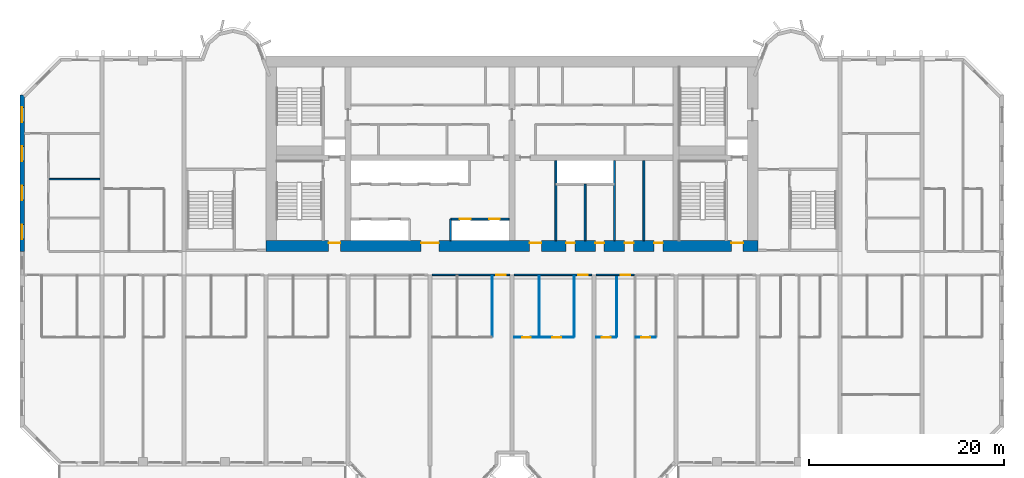
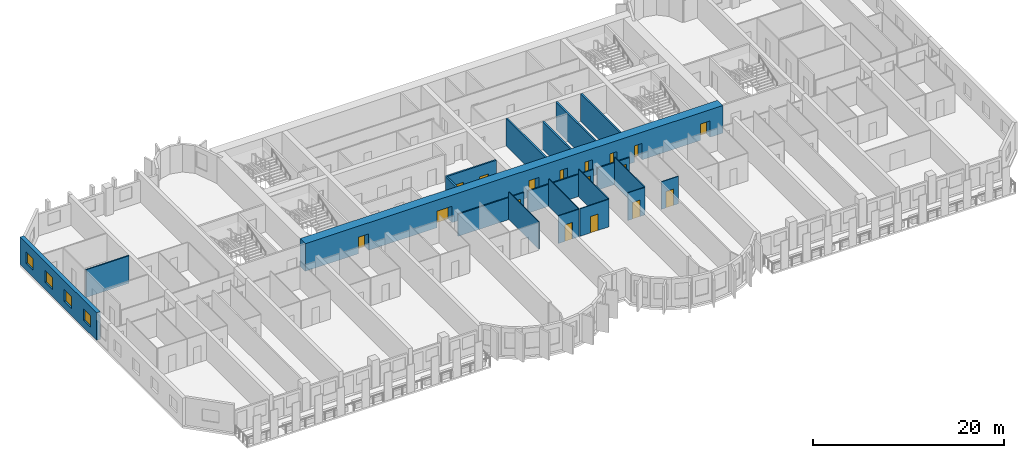
# One storey, part 5 of 15: 20 walls, 17 doors, 4 windows, 21 openings.
"""IFC4 building model written with IfcOpenShell, lengths in metres."""

import ifcopenshell
import ifcopenshell.guid

model = None  # the IFC model being written
_history = None  # IfcOwnerHistory: only IFC2X3 demands one
_inside = {}  # id of a spatial element -> (the spatial element, [elements in it])
_under = {}  # id of a project, library or spatial element -> (it, [spatial elements below it])
_declared = {}  # id of a project -> (the project, [libraries it declares])
_typed = {}  # id of a type object -> (the type object, [elements of that type])
_made_of = {}  # id of a material, layer set ... -> (it, [elements and type objects made of it])


def new_model(schema):
    """Start an empty IFC model of exactly this schema.

    Asked for "IFC4X3", IfcOpenShell would pick the latest addendum, in which some entities
    have other attributes; the version numbers below select the first issue.
    IFC2X3 requires an IfcOwnerHistory on every rooted entity: one is made here for all.
    """
    global model, _history
    if schema == "IFC4X3":
        model = ifcopenshell.file(schema_version=(4, 3, 0, 0))
    else:
        model = ifcopenshell.file(schema=schema)
    _inside.clear()
    _under.clear()
    _declared.clear()
    _typed.clear()
    _made_of.clear()
    _history = None
    if model.schema == "IFC2X3":
        org = make("IfcOrganization", Name="unknown")
        user = make(
            "IfcPersonAndOrganization",
            ThePerson=make("IfcPerson", FamilyName="unknown"),
            TheOrganization=org,
        )
        app = make(
            "IfcApplication",
            ApplicationDeveloper=org,
            Version="unknown",
            ApplicationFullName="unknown",
            ApplicationIdentifier="unknown",
        )
        _history = make(
            "IfcOwnerHistory",
            OwningUser=user,
            OwningApplication=app,
            ChangeAction="ADDED",
            CreationDate=0,
        )
    return model


def make(cls, **values):
    """One entity of the class cls with the attributes given. An attribute that is None is left unset."""
    return model.create_entity(
        cls, **{name: value for name, value in values.items() if value is not None}
    )


def rooted(cls, **values):
    """An entity with a GlobalId (a new one), such as an element, a storey or a relation."""
    return make(cls, GlobalId=ifcopenshell.guid.new(), OwnerHistory=_history, **values)


def si_unit(unit_type, name, prefix=None):
    """IfcSIUnit, for example si_unit("LENGTHUNIT", "METRE", prefix="MILLI")."""
    return make("IfcSIUnit", UnitType=unit_type, Prefix=prefix, Name=name)


def assignment(units):
    """IfcUnitAssignment: the units of a project."""
    return None if units is None else make("IfcUnitAssignment", Units=units)


def point(xyz):
    """IfcCartesianPoint."""
    return None if xyz is None else make("IfcCartesianPoint", Coordinates=xyz)


def direction(xyz):
    """IfcDirection."""
    return None if xyz is None else make("IfcDirection", DirectionRatios=xyz)


def frame(location, z_axis=None, x_axis=None):
    """IfcAxis2Placement3D, a coordinate frame: its origin and axes. An axis left out is left unset."""
    return make(
        "IfcAxis2Placement3D",
        Location=point(location),
        Axis=direction(z_axis),
        RefDirection=direction(x_axis),
    )


def frame_2d(location, x_axis=None):
    """IfcAxis2Placement2D, a coordinate frame in the plane: its origin and x axis."""
    return make(
        "IfcAxis2Placement2D", Location=point(location), RefDirection=direction(x_axis)
    )


def origin():
    """The frame at (0, 0, 0) with its axes left unset."""
    return frame((0.0, 0.0, 0.0))


def place(relative_to, where):
    """IfcLocalPlacement: puts the frame where relative to a parent placement (None: the world)."""
    return make(
        "IfcLocalPlacement", PlacementRelTo=relative_to, RelativePlacement=where
    )


def context(
    kind, dimensions, precision=None, world=None, true_north=None, identifier=None
):
    """IfcGeometricRepresentationContext, for example the 3D "Model" context."""
    return make(
        "IfcGeometricRepresentationContext",
        ContextIdentifier=identifier,
        ContextType=kind,
        CoordinateSpaceDimension=dimensions,
        Precision=precision,
        WorldCoordinateSystem=world,
        TrueNorth=true_north,
    )


def subcontext(parent, identifier, kind, view, scale=None):
    """IfcGeometricRepresentationSubContext, for example "Body" below "Model"."""
    return make(
        "IfcGeometricRepresentationSubContext",
        ContextIdentifier=identifier,
        ContextType=kind,
        ParentContext=parent,
        TargetScale=scale,
        TargetView=view,
    )


def project(units=None, contexts=None):
    """IfcProject with its units and contexts."""
    return rooted(
        "IfcProject",
        Name="project",
        RepresentationContexts=contexts,
        UnitsInContext=assignment(units),
    )


def spatial(cls, under=None, at=None, **own):
    """A site, building, storey or space (cls), placed at a placement, below another one or the project."""
    s = rooted(cls, ObjectPlacement=at, **own)
    if under is not None:
        _under.setdefault(under.id(), (under, []))[1].append(s)
    return s


def profile(cls, at=None, kind="AREA", **sizes):
    """A parametric profile (cls). Its sizes go by their IFC names, for example OverallWidth=200.0."""
    return make(cls, ProfileType=kind, Position=at, **sizes)


def rectangle(**sizes):
    """IfcRectangleProfileDef."""
    return profile("IfcRectangleProfileDef", **sizes)


def extrude(swept, where, along, depth):
    """IfcExtrudedAreaSolid: the profile swept, set in the frame where, extruded along a direction by depth."""
    return make(
        "IfcExtrudedAreaSolid",
        SweptArea=swept,
        Position=where,
        ExtrudedDirection=direction(along),
        Depth=depth,
    )


def shape(context_of_items, identifier, shape_type, items):
    """IfcShapeRepresentation: the items that make up one representation, for example the "Body"."""
    return make(
        "IfcShapeRepresentation",
        ContextOfItems=context_of_items,
        RepresentationIdentifier=identifier,
        RepresentationType=shape_type,
        Items=items,
    )


def source(mapping_origin, context_of_items, identifier, shape_type, items):
    """IfcRepresentationMap: a shape defined once, which mapped items show again and again."""
    return make(
        "IfcRepresentationMap",
        MappingOrigin=mapping_origin,
        MappedRepresentation=shape(context_of_items, identifier, shape_type, items),
    )


def transform(
    local_origin,
    x_axis=None,
    y_axis=None,
    z_axis=None,
    scale=None,
    scale2=None,
    scale3=None,
    uniform=True,
):
    """IfcCartesianTransformationOperator3D, or its non-uniform kind. x_axis, y_axis, z_axis: its Axis1, 2, 3."""
    if uniform:
        return make(
            "IfcCartesianTransformationOperator3D",
            Axis1=direction(x_axis),
            Axis2=direction(y_axis),
            LocalOrigin=point(local_origin),
            Scale=scale,
            Axis3=direction(z_axis),
        )
    return make(
        "IfcCartesianTransformationOperator3DnonUniform",
        Axis1=direction(x_axis),
        Axis2=direction(y_axis),
        LocalOrigin=point(local_origin),
        Scale=scale,
        Axis3=direction(z_axis),
        Scale2=scale2,
        Scale3=scale3,
    )


def mapped(mapping_source, mapping_target):
    """IfcMappedItem: shows the shape of a source again, moved by a transform."""
    return make(
        "IfcMappedItem", MappingSource=mapping_source, MappingTarget=mapping_target
    )


def material(Name=None, Category=None):
    """IfcMaterial."""
    return make("IfcMaterial", Name=Name, Category=Category)


def layer(
    of_material, thickness, ventilated=None, Name=None, Category=None, Priority=None
):
    """IfcMaterialLayer: one layer of a wall or slab, of a material (None: an air gap)."""
    return make(
        "IfcMaterialLayer",
        Material=of_material,
        LayerThickness=thickness,
        IsVentilated=ventilated,
        Name=Name,
        Category=Category,
        Priority=Priority,
    )


def layer_set(layers, Name=None):
    """IfcMaterialLayerSet."""
    return make("IfcMaterialLayerSet", MaterialLayers=layers, LayerSetName=Name)


def made_of(thing, what):
    """Note that an element or type object is made of a material, layer set ...; save() writes the relation."""
    if what is not None:
        _made_of.setdefault(what.id(), (what, []))[1].append(thing)
    return thing


def type_object(cls, material=None, **own):
    """A type object (cls), such as IfcWallType, which elements share."""
    return made_of(rooted(cls, **own), material)


def element(
    cls,
    number,
    at=None,
    inside=None,
    cuts=None,
    type_object=None,
    material=None,
    context=None,
    identifier="Body",
    shape_type=None,
    held_by="IfcProductDefinitionShape",
    body=None,
    shapes=None,
    **own,
):
    """One element of the class cls, such as IfcWall. Its Tag is "e" and its number.

    at: its placement. inside: the storey or other place that contains it. cuts: it is an
    opening in that element (IfcRelVoidsElement). A single representation is given by context,
    identifier, shape_type and body (its items); several are given by shapes. held_by: the class
    of the entity that holds the representations. save() writes the other relations.
    """
    e = rooted(cls, Tag="e%d" % number, ObjectPlacement=at, **own)
    if body is not None:
        shapes = [shape(context, identifier, shape_type, body)]
    if shapes is not None:
        e.Representation = make(held_by, Representations=shapes)
    if inside is not None:
        _inside.setdefault(inside.id(), (inside, []))[1].append(e)
    if cuts is not None:
        rooted(
            "IfcRelVoidsElement", RelatingBuildingElement=cuts, RelatedOpeningElement=e
        )
    if type_object is not None:
        _typed.setdefault(type_object.id(), (type_object, []))[1].append(e)
    return made_of(e, material)


def fill(opening, filler):
    """IfcRelFillsElement: the door or window that sits in an opening."""
    return rooted(
        "IfcRelFillsElement",
        RelatingOpeningElement=opening,
        RelatedBuildingElement=filler,
    )


def aggregate(whole, parts):
    """IfcRelAggregates: a whole, such as a stair, and the parts it consists of."""
    return rooted("IfcRelAggregates", RelatingObject=whole, RelatedObjects=parts)


def save(model, path):
    """Write the relations noted so far, then the file.

    IfcRelAggregates (storeys below a building ...), IfcRelContainedInSpatialStructure (elements
    in a storey), IfcRelDefinesByType, IfcRelAssociatesMaterial and IfcRelDeclares: one each for
    every whole, place, type object, material and project.
    """
    for whole, parts in _under.values():
        aggregate(whole, parts)
    for where, things in _inside.values():
        rooted(
            "IfcRelContainedInSpatialStructure",
            RelatedElements=things,
            RelatingStructure=where,
        )
    for kind, things in _typed.values():
        rooted("IfcRelDefinesByType", RelatedObjects=things, RelatingType=kind)
    for what, things in _made_of.values():
        rooted("IfcRelAssociatesMaterial", RelatedObjects=things, RelatingMaterial=what)
    for by, libraries in _declared.values():
        rooted("IfcRelDeclares", RelatingContext=by, RelatedDefinitions=libraries)
    model.write(path)


model = new_model("IFC4")

# Units and contexts
model_context = context("Model", 3, precision=1e-05, world=origin(), true_north=direction((0.0, 1.0)))
body_context = subcontext(model_context, "Body", "Model", "MODEL_VIEW")
ifc_project = project(units=[si_unit("LENGTHUNIT", "METRE"), si_unit("AREAUNIT", "SQUARE_METRE"), si_unit("VOLUMEUNIT", "CUBIC_METRE"), si_unit("PLANEANGLEUNIT", "RADIAN"), si_unit("MASSUNIT", "GRAM", prefix="KILO")], contexts=[model_context])

# Site, building, storey
site_placement = place(None, origin())
site = spatial("IfcSite", under=ifc_project, at=site_placement, CompositionType="ELEMENT")
building_placement = place(site_placement, origin())
building = spatial("IfcBuilding", under=site, at=building_placement, Name="Vanashikhar Sky Hotel", CompositionType="ELEMENT")
storey_placement = place(building_placement, frame((0.0, 0.0, 39.199951171875)))
storey = spatial("IfcBuildingStorey", under=building, at=storey_placement, Name="L08", CompositionType="ELEMENT", Elevation=39.199951171875)

# Wall, openings, doors
ifc_material_1 = material(Name="Concrete M80", Category="concrete")
ifc_layer_1 = layer(ifc_material_1, 1.10009765625)
ifc_layer_set_1 = layer_set([ifc_layer_1], Name="RC core shell wall 1100 Concrete M80")
wall_type_1 = type_object("IfcWallType", Name="RC core shell wall 1100 Concrete M80", PredefinedType="SHEAR", material=ifc_layer_set_1)
shared_shape_1 = source(origin(), body_context, "Body", "SweptSolid", [
    extrude(rectangle(XDim=50.400146484375, YDim=1.10009765625, at=frame_2d((25.2001953125, 0.0))), origin(), (0.0, 0.0, 1.0), 3.52001953125),
])
wall_1_placement = place(storey_placement, frame((25.199951171875, 22.550048828125, 0.0), z_axis=(0.0, 0.0, 1.0), x_axis=(1.0, 0.0, 0.0)))
wall_1 = element("IfcWall", 1, at=wall_1_placement, inside=storey, type_object=wall_type_1, Name="KW-L08-KS", PredefinedType="SHEAR", context=body_context, shape_type="MappedRepresentation", body=[
    mapped(shared_shape_1, transform((0.0, 0.0, 0.0), scale=1.0)),
])
shared_shape_2 = source(origin(), body_context, "Body", "SweptSolid", [
    extrude(rectangle(XDim=1.800048828125, YDim=2.10009765625, at=frame_2d((0.89990234375, 1.050048828125))), frame((0.0, 0.56005859375, 0.0), z_axis=(0.0, -1.0, 0.0), x_axis=(1.0, 0.0, 0.0)), (0.0, 0.0, 1.0), 1.1201171875),
])
opening_1_placement = place(wall_1_placement, frame((15.89990234375, 0.0, 0.0)))
opening_1 = element("IfcOpeningElement", 2, at=opening_1_placement, cuts=wall_1, Name="Opening DC-3-A", PredefinedType="OPENING", context=body_context, shape_type="MappedRepresentation", body=[
    mapped(shared_shape_2, transform((0.0, 0.0, 0.0), scale=1.0)),
])
shared_shape_3 = source(origin(), body_context, "Body", "SweptSolid", [
    extrude(rectangle(XDim=1.199951171875, YDim=2.10009765625, at=frame_2d((0.60009765625, 1.050048828125))), frame((0.0, 0.56005859375, 0.0), z_axis=(0.0, -1.0, 0.0), x_axis=(1.0, 0.0, 0.0)), (0.0, 0.0, 1.0), 1.1201171875),
])
opening_2_placement = place(wall_1_placement, frame((27.0, 0.0, 0.0)))
opening_2 = element("IfcOpeningElement", 3, at=opening_2_placement, cuts=wall_1, Name="Opening DC-4-B", PredefinedType="OPENING", context=body_context, shape_type="MappedRepresentation", body=[
    mapped(shared_shape_3, transform((0.0, 0.0, 0.0), scale=1.0)),
])
shared_shape_4 = source(origin(), body_context, "Body", "SweptSolid", [
    extrude(rectangle(XDim=0.89990234375, YDim=2.10009765625, at=frame_2d((0.449951171875, 1.050048828125))), frame((0.0, 0.56005859375, 0.0), z_axis=(0.0, -1.0, 0.0), x_axis=(1.0, 0.0, 0.0)), (0.0, 0.0, 1.0), 1.1201171875),
])
opening_3_placement = place(wall_1_placement, frame((33.75, 0.0, 0.0)))
opening_3 = element("IfcOpeningElement", 4, at=opening_3_placement, cuts=wall_1, Name="Opening DC-4-A", PredefinedType="OPENING", context=body_context, shape_type="MappedRepresentation", body=[
    mapped(shared_shape_4, transform((0.0, 0.0, 0.0), scale=1.0)),
])
opening_4_placement = place(wall_1_placement, frame((30.75, 0.0, 0.0)))
opening_4 = element("IfcOpeningElement", 5, at=opening_4_placement, cuts=wall_1, Name="Opening DC-4-A", PredefinedType="OPENING", context=body_context, shape_type="MappedRepresentation", body=[
    mapped(shared_shape_4, transform((0.0, 0.0, 0.0), scale=1.0)),
])
opening_5_placement = place(wall_1_placement, frame((39.75, 0.0, 0.0)))
opening_5 = element("IfcOpeningElement", 6, at=opening_5_placement, cuts=wall_1, Name="Opening DC-4-A", PredefinedType="OPENING", context=body_context, shape_type="MappedRepresentation", body=[
    mapped(shared_shape_4, transform((0.0, 0.0, 0.0), scale=1.0)),
])
opening_6_placement = place(wall_1_placement, frame((36.75, 0.0, 0.0)))
opening_6 = element("IfcOpeningElement", 7, at=opening_6_placement, cuts=wall_1, Name="Opening DC-4-A", PredefinedType="OPENING", context=body_context, shape_type="MappedRepresentation", body=[
    mapped(shared_shape_4, transform((0.0, 0.0, 0.0), scale=1.0)),
])
opening_7_placement = place(wall_1_placement, frame((6.425048828125, 0.0, 0.0)))
opening_7 = element("IfcOpeningElement", 8, at=opening_7_placement, cuts=wall_1, Name="Opening DC-2", PredefinedType="OPENING", context=body_context, shape_type="MappedRepresentation", body=[
    mapped(shared_shape_3, transform((0.0, 0.0, 0.0), scale=1.0)),
])
opening_8_placement = place(wall_1_placement, frame((47.675048828125, 0.0, 0.0)))
opening_8 = element("IfcOpeningElement", 9, at=opening_8_placement, cuts=wall_1, Name="Opening DC-2", PredefinedType="OPENING", context=body_context, shape_type="MappedRepresentation", body=[
    mapped(shared_shape_3, transform((0.0, 0.0, 0.0), scale=1.0)),
])
ifc_material_2 = material(Name="Glass", Category="glass")
door_type_1 = type_object("IfcDoorType", Name="Lift lobby entrance door 1800 FD30S", OperationType="NOTDEFINED", PredefinedType="DOOR", material=ifc_material_2)
shared_shape_5 = source(origin(), body_context, "Body", "SweptSolid", [
    extrude(rectangle(XDim=1.800048828125, YDim=2.10009765625, at=frame_2d((0.89990234375, 1.050048828125))), frame((0.0, 0.3251953125, 0.0), z_axis=(0.0, -1.0, 0.0), x_axis=(1.0, 0.0, 0.0)), (0.0, 0.0, 1.0), 0.050048828125),
])
door_1_placement = place(opening_1_placement, origin())
door_1 = element("IfcDoor", 10, at=door_1_placement, inside=storey, type_object=door_type_1, Name="Lift lobby entrance door 1800 FD30S", OperationType="DOUBLE_DOOR_SINGLE_SWING", OverallHeight=2.10009765625, OverallWidth=1.800048828125, PredefinedType="DOOR", context=body_context, shape_type="MappedRepresentation", body=[
    mapped(shared_shape_5, transform((0.0, 0.0, 0.0), scale=1.0)),
])
fill(opening_1, door_1)
ifc_material_3 = material(Name="Steel", Category="steel")
door_type_2 = type_object("IfcDoorType", Name="Service door 1200 FD60", OperationType="NOTDEFINED", PredefinedType="DOOR", material=ifc_material_3)
shared_shape_6 = source(origin(), body_context, "Body", "SweptSolid", [
    extrude(rectangle(XDim=1.199951171875, YDim=2.10009765625, at=frame_2d((0.60009765625, 1.050048828125))), frame((0.0, 0.3251953125, 0.0), z_axis=(0.0, -1.0, 0.0), x_axis=(1.0, 0.0, 0.0)), (0.0, 0.0, 1.0), 0.050048828125),
])
door_2_placement = place(opening_2_placement, origin())
door_2 = element("IfcDoor", 11, at=door_2_placement, inside=storey, type_object=door_type_2, Name="Service door 1200 FD60", OperationType="SINGLE_SWING_RIGHT", OverallHeight=2.10009765625, OverallWidth=1.199951171875, PredefinedType="DOOR", context=body_context, shape_type="MappedRepresentation", body=[
    mapped(shared_shape_6, transform((0.0, 0.0, 0.0), scale=1.0)),
])
fill(opening_2, door_2)
door_type_3 = type_object("IfcDoorType", Name="Firefighting lobby door 1200 FD120", OperationType="NOTDEFINED", PredefinedType="DOOR", material=ifc_material_3)
door_3_placement = place(opening_7_placement, origin())
door_3 = element("IfcDoor", 12, at=door_3_placement, inside=storey, type_object=door_type_3, Name="Firefighting lobby door 1200 FD120", OperationType="SINGLE_SWING_LEFT", OverallHeight=2.10009765625, OverallWidth=1.199951171875, PredefinedType="DOOR", context=body_context, shape_type="MappedRepresentation", body=[
    mapped(shared_shape_6, transform((0.0, 0.0, 0.0), scale=1.0)),
])
fill(opening_7, door_3)
door_4_placement = place(opening_8_placement, origin())
door_4 = element("IfcDoor", 13, at=door_4_placement, inside=storey, type_object=door_type_3, Name="Firefighting lobby door 1200 FD120", OperationType="SINGLE_SWING_RIGHT", OverallHeight=2.10009765625, OverallWidth=1.199951171875, PredefinedType="DOOR", context=body_context, shape_type="MappedRepresentation", body=[
    mapped(shared_shape_6, transform((0.0, 0.0, 0.0), scale=1.0)),
])
fill(opening_8, door_4)
door_type_4 = type_object("IfcDoorType", Name="Service door 900 FD60", OperationType="NOTDEFINED", PredefinedType="DOOR", material=ifc_material_3)
shared_shape_7 = source(origin(), body_context, "Body", "SweptSolid", [
    extrude(rectangle(XDim=0.89990234375, YDim=2.10009765625, at=frame_2d((0.449951171875, 1.050048828125))), frame((0.0, 0.3251953125, 0.0), z_axis=(0.0, -1.0, 0.0), x_axis=(1.0, 0.0, 0.0)), (0.0, 0.0, 1.0), 0.050048828125),
])
door_5_placement = place(opening_3_placement, origin())
door_5 = element("IfcDoor", 14, at=door_5_placement, inside=storey, type_object=door_type_4, Name="Service door 900 FD60", OperationType="SINGLE_SWING_RIGHT", OverallHeight=2.10009765625, OverallWidth=0.89990234375, PredefinedType="DOOR", context=body_context, shape_type="MappedRepresentation", body=[
    mapped(shared_shape_7, transform((0.0, 0.0, 0.0), scale=1.0)),
])
fill(opening_3, door_5)
door_6_placement = place(opening_4_placement, origin())
door_6 = element("IfcDoor", 15, at=door_6_placement, inside=storey, type_object=door_type_4, Name="Service door 900 FD60", OperationType="SINGLE_SWING_LEFT", OverallHeight=2.10009765625, OverallWidth=0.89990234375, PredefinedType="DOOR", context=body_context, shape_type="MappedRepresentation", body=[
    mapped(shared_shape_7, transform((0.0, 0.0, 0.0), scale=1.0)),
])
fill(opening_4, door_6)
door_7_placement = place(opening_5_placement, origin())
door_7 = element("IfcDoor", 16, at=door_7_placement, inside=storey, type_object=door_type_4, Name="Service door 900 FD60", OperationType="SINGLE_SWING_RIGHT", OverallHeight=2.10009765625, OverallWidth=0.89990234375, PredefinedType="DOOR", context=body_context, shape_type="MappedRepresentation", body=[
    mapped(shared_shape_7, transform((0.0, 0.0, 0.0), scale=1.0)),
])
fill(opening_5, door_7)
door_8_placement = place(opening_6_placement, origin())
door_8 = element("IfcDoor", 17, at=door_8_placement, inside=storey, type_object=door_type_4, Name="Service door 900 FD60", OperationType="SINGLE_SWING_LEFT", OverallHeight=2.10009765625, OverallWidth=0.89990234375, PredefinedType="DOOR", context=body_context, shape_type="MappedRepresentation", body=[
    mapped(shared_shape_7, transform((0.0, 0.0, 0.0), scale=1.0)),
])
fill(opening_6, door_8)

# Wall, openings, windows
ifc_layer_2 = layer(ifc_material_1, 0.449951171875)
ifc_layer_set_2 = layer_set([ifc_layer_2], Name="RC shear wall 450 Concrete M80")
wall_type_2 = type_object("IfcWallType", Name="RC shear wall 450 Concrete M80", PredefinedType="SHEAR", material=ifc_layer_set_2)
shared_shape_8 = source(origin(), body_context, "Body", "SweptSolid", [
    extrude(rectangle(XDim=16.0, YDim=0.449951171875, at=frame_2d((8.0, 0.0))), origin(), (0.0, 0.0, 1.0), 3.52001953125),
])
wall_2_placement = place(storey_placement, frame((0.22509765625, 22.0, 0.0), z_axis=(0.0, 0.0, 1.0), x_axis=(0.0, 1.0, 0.0)))
wall_2 = element("IfcWall", 18, at=wall_2_placement, inside=storey, type_object=wall_type_2, Name="CW-L08-XW01-2", PredefinedType="SHEAR", context=body_context, shape_type="MappedRepresentation", body=[
    mapped(shared_shape_8, transform((0.0, 0.0, 0.0), scale=1.0)),
])
shared_shape_9 = source(origin(), body_context, "Body", "SweptSolid", [
    extrude(rectangle(XDim=1.5, YDim=1.5, at=frame_2d((0.75, 0.75))), frame((0.0, 0.23486328125, 0.0), z_axis=(0.0, -1.0, 0.0), x_axis=(1.0, 0.0, 0.0)), (0.0, 0.0, 1.0), 0.469970703125),
])
opening_9_placement = place(wall_2_placement, frame((1.25, 0.0, 0.89990234375)))
opening_9 = element("IfcOpeningElement", 19, at=opening_9_placement, cuts=wall_2, Name="Opening WN-1", PredefinedType="OPENING", context=body_context, shape_type="MappedRepresentation", body=[
    mapped(shared_shape_9, transform((0.0, 0.0, 0.0), scale=1.0)),
])
opening_10_placement = place(wall_2_placement, frame((5.25, 0.0, 0.89990234375)))
opening_10 = element("IfcOpeningElement", 20, at=opening_10_placement, cuts=wall_2, Name="Opening WN-1", PredefinedType="OPENING", context=body_context, shape_type="MappedRepresentation", body=[
    mapped(shared_shape_9, transform((0.0, 0.0, 0.0), scale=1.0)),
])
opening_11_placement = place(wall_2_placement, frame((9.25, 0.0, 0.89990234375)))
opening_11 = element("IfcOpeningElement", 21, at=opening_11_placement, cuts=wall_2, Name="Opening WN-1", PredefinedType="OPENING", context=body_context, shape_type="MappedRepresentation", body=[
    mapped(shared_shape_9, transform((0.0, 0.0, 0.0), scale=1.0)),
])
opening_12_placement = place(wall_2_placement, frame((13.25, 0.0, 0.89990234375)))
opening_12 = element("IfcOpeningElement", 22, at=opening_12_placement, cuts=wall_2, Name="Opening WN-1", PredefinedType="OPENING", context=body_context, shape_type="MappedRepresentation", body=[
    mapped(shared_shape_9, transform((0.0, 0.0, 0.0), scale=1.0)),
])
window_type = type_object("IfcWindowType", Name="Window 1500 x 1500", PartitioningType="SINGLE_PANEL", PredefinedType="WINDOW", material=ifc_material_2)
shared_shape_10 = source(origin(), body_context, "Body", "SweptSolid", [
    extrude(rectangle(XDim=1.5, YDim=1.5, at=frame_2d((0.75, 0.75))), frame((0.0, 0.030029296875, 0.0), z_axis=(0.0, -1.0, 0.0), x_axis=(1.0, 0.0, 0.0)), (0.0, 0.0, 1.0), 0.06005859375),
])
window_1_placement = place(opening_9_placement, origin())
window_1 = element("IfcWindow", 23, at=window_1_placement, inside=storey, type_object=window_type, Name="Window WN-1", OverallHeight=1.5, OverallWidth=1.5, PartitioningType="SINGLE_PANEL", PredefinedType="WINDOW", context=body_context, shape_type="MappedRepresentation", body=[
    mapped(shared_shape_10, transform((0.0, 0.0, 0.0), scale=1.0)),
])
fill(opening_9, window_1)
window_2_placement = place(opening_10_placement, origin())
window_2 = element("IfcWindow", 24, at=window_2_placement, inside=storey, type_object=window_type, Name="Window WN-1", OverallHeight=1.5, OverallWidth=1.5, PartitioningType="SINGLE_PANEL", PredefinedType="WINDOW", context=body_context, shape_type="MappedRepresentation", body=[
    mapped(shared_shape_10, transform((0.0, 0.0, 0.0), scale=1.0)),
])
fill(opening_10, window_2)
window_3_placement = place(opening_11_placement, origin())
window_3 = element("IfcWindow", 25, at=window_3_placement, inside=storey, type_object=window_type, Name="Window WN-1", OverallHeight=1.5, OverallWidth=1.5, PartitioningType="SINGLE_PANEL", PredefinedType="WINDOW", context=body_context, shape_type="MappedRepresentation", body=[
    mapped(shared_shape_10, transform((0.0, 0.0, 0.0), scale=1.0)),
])
fill(opening_11, window_3)
window_4_placement = place(opening_12_placement, origin())
window_4 = element("IfcWindow", 26, at=window_4_placement, inside=storey, type_object=window_type, Name="Window WN-1", OverallHeight=1.5, OverallWidth=1.5, PartitioningType="SINGLE_PANEL", PredefinedType="WINDOW", context=body_context, shape_type="MappedRepresentation", body=[
    mapped(shared_shape_10, transform((0.0, 0.0, 0.0), scale=1.0)),
])
fill(opening_12, window_4)

# Wall, openings, doors
ifc_material_4 = material(Name="Concrete M40", Category="concrete")
ifc_layer_3 = layer(ifc_material_4, 0.199951171875)
ifc_layer_set_3 = layer_set([ifc_layer_3], Name="Shaft wall 200")
wall_type_3 = type_object("IfcWallType", Name="Shaft wall 200", PredefinedType="SOLIDWALL", material=ifc_layer_set_3)
shared_shape_11 = source(origin(), body_context, "Body", "SweptSolid", [
    extrude(rectangle(XDim=6.0, YDim=0.199951171875, at=frame_2d((3.0, 0.0))), origin(), (0.0, 0.0, 1.0), 3.52001953125),
])
wall_3_placement = place(storey_placement, frame((44.10009765625, 25.300048828125, 0.0), z_axis=(0.0, 0.0, 1.0), x_axis=(1.0, 0.0, 0.0)))
wall_3 = element("IfcWall", 27, at=wall_3_placement, inside=storey, type_object=wall_type_3, Name="Shaft wall 200", PredefinedType="SOLIDWALL", context=body_context, shape_type="MappedRepresentation", body=[
    mapped(shared_shape_11, transform((0.0, 0.0, 0.0), scale=1.0)),
])
shared_shape_12 = source(origin(), body_context, "Body", "SweptSolid", [
    extrude(rectangle(XDim=1.10009765625, YDim=2.10009765625, at=frame_2d((0.550048828125, 1.050048828125))), frame((0.0, 0.10986328125, 0.0), z_axis=(0.0, -1.0, 0.0), x_axis=(1.0, 0.0, 0.0)), (0.0, 0.0, 1.0), 0.219970703125),
])
opening_13_placement = place(wall_3_placement, frame((0.949951171875, 0.0, 0.0)))
opening_13 = element("IfcOpeningElement", 28, at=opening_13_placement, cuts=wall_3, Name="Opening LD", PredefinedType="OPENING", context=body_context, shape_type="MappedRepresentation", body=[
    mapped(shared_shape_12, transform((0.0, 0.0, 0.0), scale=1.0)),
])
opening_14_placement = place(wall_3_placement, frame((3.949951171875, 0.0, 0.0)))
opening_14 = element("IfcOpeningElement", 29, at=opening_14_placement, cuts=wall_3, Name="Opening LD", PredefinedType="OPENING", context=body_context, shape_type="MappedRepresentation", body=[
    mapped(shared_shape_12, transform((0.0, 0.0, 0.0), scale=1.0)),
])
ifc_material_5 = material(Name="Stainless steel", Category="steel")
door_type_5 = type_object("IfcDoorType", Name="Lift landing door 1100", OperationType="NOTDEFINED", PredefinedType="DOOR", material=ifc_material_5)
shared_shape_13 = source(origin(), body_context, "Body", "SweptSolid", [
    extrude(rectangle(XDim=1.10009765625, YDim=2.10009765625, at=frame_2d((0.550048828125, 1.050048828125))), frame((0.0, 0.02490234375, 0.0), z_axis=(0.0, -1.0, 0.0), x_axis=(1.0, 0.0, 0.0)), (0.0, 0.0, 1.0), 0.050048828125),
])
door_9_placement = place(opening_13_placement, origin())
door_9 = element("IfcDoor", 30, at=door_9_placement, inside=storey, type_object=door_type_5, Name="Lift landing door 1100", OperationType="SLIDING_TO_LEFT", OverallHeight=2.10009765625, OverallWidth=1.10009765625, PredefinedType="DOOR", context=body_context, shape_type="MappedRepresentation", body=[
    mapped(shared_shape_13, transform((0.0, 0.0, 0.0), scale=1.0)),
])
fill(opening_13, door_9)
door_10_placement = place(opening_14_placement, origin())
door_10 = element("IfcDoor", 31, at=door_10_placement, inside=storey, type_object=door_type_5, Name="Lift landing door 1100", OperationType="SLIDING_TO_RIGHT", OverallHeight=2.10009765625, OverallWidth=1.10009765625, PredefinedType="DOOR", context=body_context, shape_type="MappedRepresentation", body=[
    mapped(shared_shape_13, transform((0.0, 0.0, 0.0), scale=1.0)),
])
fill(opening_14, door_10)

# Walls
shared_shape_14 = source(origin(), body_context, "Body", "SweptSolid", [
    extrude(rectangle(XDim=2.199951171875, YDim=0.199951171875, at=frame_2d((1.10009765625, 0.0))), origin(), (0.0, 0.0, 1.0), 3.52001953125),
])
wall_4_placement = place(storey_placement, frame((44.10009765625, 23.10009765625, 0.0), z_axis=(0.0, 0.0, 1.0), x_axis=(0.0, 1.0, 0.0)))
element("IfcWall", 32, at=wall_4_placement, inside=storey, type_object=wall_type_3, Name="Shaft wall 200", PredefinedType="SOLIDWALL", context=body_context, shape_type="MappedRepresentation", body=[
    mapped(shared_shape_14, transform((0.0, 0.0, 0.0), scale=1.0)),
])
ifc_material_6 = material(Name="Gypsum board partition")
ifc_layer_4 = layer(ifc_material_6, 0.14990234375)
ifc_layer_set_4 = layer_set([ifc_layer_4], Name="Service partition 150")
wall_type_4 = type_object("IfcWallType", Name="Service partition 150", PredefinedType="PARTITIONING", material=ifc_layer_set_4)
shared_shape_15 = source(origin(), body_context, "Body", "SweptSolid", [
    extrude(rectangle(XDim=8.199951171875, YDim=0.199951171875, at=frame_2d((4.10009765625, 0.0))), origin(), (0.0, 0.0, 1.0), 3.52001953125),
])
for number, where, z_axis, x_axis, name in (
    (33, (54.89990234375, 23.10009765625, 0.0), (0.0, 0.0, 1.0), (0.0, 1.0, 0.0), "Service partition 150"),
    (34, (60.89990234375, 23.10009765625, 0.0), (0.0, 0.0, 1.0), (0.0, 1.0, 0.0), "Service partition 150"),
    (35, (63.89990234375, 23.10009765625, 0.0), (0.0, 0.0, 1.0), (0.0, 1.0, 0.0), "Service partition 150"),
):
    element("IfcWall", number, at=place(storey_placement, frame(where, z_axis=z_axis, x_axis=x_axis)), inside=storey, type_object=wall_type_4, Name=name, PredefinedType="PARTITIONING", context=body_context, shape_type="MappedRepresentation", body=[
        mapped(shared_shape_15, transform((0.0, 0.0, 0.0), scale=1.0)),
    ])
shared_shape_16 = source(origin(), body_context, "Body", "SweptSolid", [
    extrude(rectangle(XDim=5.7998046875, YDim=0.199951171875, at=frame_2d((2.89990234375, 0.0))), origin(), (0.0, 0.0, 1.0), 3.52001953125),
])
wall_5_placement = place(storey_placement, frame((57.89990234375, 23.10009765625, 0.0), z_axis=(0.0, 0.0, 1.0), x_axis=(0.0, 1.0, 0.0)))
element("IfcWall", 36, at=wall_5_placement, inside=storey, type_object=wall_type_4, Name="Service partition 150", PredefinedType="PARTITIONING", context=body_context, shape_type="MappedRepresentation", body=[
    mapped(shared_shape_16, transform((0.0, 0.0, 0.0), scale=1.0)),
])

# Wall, opening, door
ifc_material_7 = material(Name="Gypsum plasterboard partition")
ifc_layer_5 = layer(ifc_material_7, 0.10009765625)
ifc_layer_set_5 = layer_set([ifc_layer_5], Name="Wet room partition 100")
wall_type_5 = type_object("IfcWallType", Name="Wet room partition 100", PredefinedType="PARTITIONING", material=ifc_layer_set_5)
shared_shape_17 = source(origin(), body_context, "Body", "SweptSolid", [
    extrude(rectangle(XDim=2.050048828125, YDim=0.10009765625, at=frame_2d((1.02490234375, 0.0))), origin(), (0.0, 0.0, 1.0), 3.52001953125),
])
wall_6_placement = place(storey_placement, frame((59.02490234375, 13.199951171875, 0.0), z_axis=(0.0, 0.0, 1.0), x_axis=(1.0, 0.0, 0.0)))
wall_6 = element("IfcWall", 37, at=wall_6_placement, inside=storey, type_object=wall_type_5, Name="W-L08-PW039", PredefinedType="PARTITIONING", context=body_context, shape_type="MappedRepresentation", body=[
    mapped(shared_shape_17, transform((0.0, 0.0, 0.0), scale=1.0)),
])
shared_shape_18 = source(origin(), body_context, "Body", "SweptSolid", [
    extrude(rectangle(XDim=0.89990234375, YDim=2.10009765625, at=frame_2d((0.449951171875, 1.050048828125))), frame((0.0, 0.06005859375, 0.0), z_axis=(0.0, -1.0, 0.0), x_axis=(1.0, 0.0, 0.0)), (0.0, 0.0, 1.0), 0.1201171875),
])
opening_15_placement = place(wall_6_placement, frame((0.574951171875, 0.0, 0.0)))
opening_15 = element("IfcOpeningElement", 38, at=opening_15_placement, cuts=wall_6, Name="Opening D-02", PredefinedType="OPENING", context=body_context, shape_type="MappedRepresentation", body=[
    mapped(shared_shape_18, transform((0.0, 0.0, 0.0), scale=1.0)),
])
ifc_material_8 = material(Name="Timber door", Category="wood")
door_type_6 = type_object("IfcDoorType", Name="Internal door 900", OperationType="NOTDEFINED", PredefinedType="DOOR", material=ifc_material_8)
shared_shape_19 = source(origin(), body_context, "Body", "SweptSolid", [
    extrude(rectangle(XDim=0.89990234375, YDim=2.10009765625, at=frame_2d((0.449951171875, 1.050048828125))), frame((0.0, 0.02490234375, 0.0), z_axis=(0.0, -1.0, 0.0), x_axis=(1.0, 0.0, 0.0)), (0.0, 0.0, 1.0), 0.050048828125),
])
door_11_placement = place(opening_15_placement, origin())
door_11 = element("IfcDoor", 39, at=door_11_placement, inside=storey, type_object=door_type_6, Name="D-L08-023", OperationType="SINGLE_SWING_RIGHT", OverallHeight=2.10009765625, OverallWidth=0.89990234375, PredefinedType="DOOR", context=body_context, shape_type="MappedRepresentation", body=[
    mapped(shared_shape_19, transform((0.0, 0.0, 0.0), scale=1.0)),
])
fill(opening_15, door_11)

wall_7_placement = place(storey_placement, frame((63.074951171875, 13.199951171875, 0.0), z_axis=(0.0, 0.0, 1.0), x_axis=(1.0, 0.0, 0.0)))
wall_7 = element("IfcWall", 40, at=wall_7_placement, inside=storey, type_object=wall_type_5, Name="W-L08-PW042", PredefinedType="PARTITIONING", context=body_context, shape_type="MappedRepresentation", body=[
    mapped(shared_shape_17, transform((0.0, 0.0, 0.0), scale=1.0)),
])
opening_16_placement = place(wall_7_placement, frame((0.574951171875, 0.0, 0.0)))
opening_16 = element("IfcOpeningElement", 41, at=opening_16_placement, cuts=wall_7, Name="Opening D-02", PredefinedType="OPENING", context=body_context, shape_type="MappedRepresentation", body=[
    mapped(shared_shape_18, transform((0.0, 0.0, 0.0), scale=1.0)),
])
door_12_placement = place(opening_16_placement, origin())
door_12 = element("IfcDoor", 42, at=door_12_placement, inside=storey, type_object=door_type_6, Name="D-L08-025", OperationType="SINGLE_SWING_RIGHT", OverallHeight=2.10009765625, OverallWidth=0.89990234375, PredefinedType="DOOR", context=body_context, shape_type="MappedRepresentation", body=[
    mapped(shared_shape_19, transform((0.0, 0.0, 0.0), scale=1.0)),
])
fill(opening_16, door_12)

ifc_layer_6 = layer(ifc_material_7, 0.14990234375)
ifc_layer_set_6 = layer_set([ifc_layer_6], Name="Corridor and demising partition 150")
wall_type_6 = type_object("IfcWallType", Name="Corridor and demising partition 150", PredefinedType="PARTITIONING", material=ifc_layer_set_6)
shared_shape_20 = source(origin(), body_context, "Body", "SweptSolid", [
    extrude(rectangle(XDim=3.900146484375, YDim=0.14990234375, at=frame_2d((1.9501953125, 0.0))), origin(), (0.0, 0.0, 1.0), 2.820068359375),
])
wall_8_placement = place(storey_placement, frame((59.02490234375, 19.60009765625, 0.0), z_axis=(0.0, 0.0, 1.0), x_axis=(1.0, 0.0, 0.0)))
wall_8 = element("IfcWall", 43, at=wall_8_placement, inside=storey, type_object=wall_type_6, Name="W-L08-PW040", PredefinedType="PARTITIONING", context=body_context, shape_type="MappedRepresentation", body=[
    mapped(shared_shape_20, transform((0.0, 0.0, 0.0), scale=1.0)),
])
shared_shape_21 = source(origin(), body_context, "Body", "SweptSolid", [
    extrude(rectangle(XDim=1.0, YDim=2.10009765625, at=frame_2d((0.5, 1.050048828125))), frame((0.0, 0.0849609375, 0.0), z_axis=(0.0, -1.0, 0.0), x_axis=(1.0, 0.0, 0.0)), (0.0, 0.0, 1.0), 0.169921875),
])
opening_17_placement = place(wall_8_placement, frame((2.5, 0.0, 0.0)))
opening_17 = element("IfcOpeningElement", 44, at=opening_17_placement, cuts=wall_8, Name="Opening D-01", PredefinedType="OPENING", context=body_context, shape_type="MappedRepresentation", body=[
    mapped(shared_shape_21, transform((0.0, 0.0, 0.0), scale=1.0)),
])
ifc_material_9 = material(Name="Timber fire door", Category="wood")
door_type_7 = type_object("IfcDoorType", Name="Guest entry door 1000 FD30S", OperationType="NOTDEFINED", PredefinedType="DOOR", material=ifc_material_9)
shared_shape_22 = source(origin(), body_context, "Body", "SweptSolid", [
    extrude(rectangle(XDim=1.0, YDim=2.10009765625, at=frame_2d((0.5, 1.050048828125))), frame((0.0, 0.02490234375, 0.0), z_axis=(0.0, -1.0, 0.0), x_axis=(1.0, 0.0, 0.0)), (0.0, 0.0, 1.0), 0.050048828125),
])
door_13_placement = place(opening_17_placement, origin())
door_13 = element("IfcDoor", 45, at=door_13_placement, inside=storey, type_object=door_type_7, Name="D-L08-024", OperationType="SINGLE_SWING_RIGHT", OverallHeight=2.10009765625, OverallWidth=1.0, PredefinedType="DOOR", context=body_context, shape_type="MappedRepresentation", body=[
    mapped(shared_shape_22, transform((0.0, 0.0, 0.0), scale=1.0)),
])
fill(opening_17, door_13)

# Wall
shared_shape_23 = source(origin(), body_context, "Body", "SweptSolid", [
    extrude(rectangle(XDim=5.175048828125, YDim=0.14990234375, at=frame_2d((2.58740234375, 0.0))), origin(), (0.0, 0.0, 1.0), 3.52001953125),
])
wall_9_placement = place(storey_placement, frame((3.0, 29.39990234375, 0.0), z_axis=(0.0, 0.0, 1.0), x_axis=(1.0, 0.0, 0.0)))
element("IfcWall", 46, at=wall_9_placement, inside=storey, type_object=wall_type_6, Name="W-L08-PW074", PredefinedType="PARTITIONING", context=body_context, shape_type="MappedRepresentation", body=[
    mapped(shared_shape_23, transform((0.0, 0.0, 0.0), scale=1.0)),
])

# Wall, opening, door
shared_shape_24 = source(origin(), body_context, "Body", "SweptSolid", [
    extrude(rectangle(XDim=3.5, YDim=0.10009765625, at=frame_2d((1.75, 0.0))), origin(), (0.0, 0.0, 1.0), 3.52001953125),
])
wall_10_placement = place(storey_placement, frame((53.22509765625, 13.199951171875, 0.0), z_axis=(0.0, 0.0, 1.0), x_axis=(1.0, 0.0, 0.0)))
wall_10 = element("IfcWall", 47, at=wall_10_placement, inside=storey, type_object=wall_type_5, Name="W-L08-PW035", PredefinedType="PARTITIONING", context=body_context, shape_type="MappedRepresentation", body=[
    mapped(shared_shape_24, transform((0.0, 0.0, 0.0), scale=1.0)),
])
opening_18_placement = place(wall_10_placement, frame((1.300048828125, 0.0, 0.0)))
opening_18 = element("IfcOpeningElement", 48, at=opening_18_placement, cuts=wall_10, Name="Opening D-02", PredefinedType="OPENING", context=body_context, shape_type="MappedRepresentation", body=[
    mapped(shared_shape_18, transform((0.0, 0.0, 0.0), scale=1.0)),
])
door_14_placement = place(opening_18_placement, origin())
door_14 = element("IfcDoor", 49, at=door_14_placement, inside=storey, type_object=door_type_6, Name="D-L08-020", OperationType="SINGLE_SWING_RIGHT", OverallHeight=2.10009765625, OverallWidth=0.89990234375, PredefinedType="DOOR", context=body_context, shape_type="MappedRepresentation", body=[
    mapped(shared_shape_19, transform((0.0, 0.0, 0.0), scale=1.0)),
])
fill(opening_18, door_14)

# Walls
shared_shape_25 = source(origin(), body_context, "Body", "SweptSolid", [
    extrude(rectangle(XDim=6.25, YDim=0.10009765625, at=frame_2d((3.125, 0.0))), origin(), (0.0, 0.0, 1.0), 3.52001953125),
])
for number, where, z_axis, x_axis, name in (
    (50, (48.375, 13.27490234375, 0.0), (0.0, 0.0, 1.0), (0.0, 1.0, 0.0), "W-L08-PW028"),
    (51, (56.77490234375, 13.27490234375, 0.0), (0.0, 0.0, 1.0), (0.0, 1.0, 0.0), "W-L08-PW033"),
    (52, (53.175048828125, 13.27490234375, 0.0), (0.0, 0.0, 1.0), (0.0, 1.0, 0.0), "W-L08-PW034"),
    (53, (61.125, 13.27490234375, 0.0), (0.0, 0.0, 1.0), (0.0, 1.0, 0.0), "W-L08-PW038"),
):
    element("IfcWall", number, at=place(storey_placement, frame(where, z_axis=z_axis, x_axis=x_axis)), inside=storey, type_object=wall_type_5, Name=name, PredefinedType="PARTITIONING", context=body_context, shape_type="MappedRepresentation", body=[
        mapped(shared_shape_25, transform((0.0, 0.0, 0.0), scale=1.0)),
    ])

# Wall, opening, door
shared_shape_26 = source(origin(), body_context, "Body", "SweptSolid", [
    extrude(rectangle(XDim=2.5, YDim=0.10009765625, at=frame_2d((1.25, 0.0))), origin(), (0.0, 0.0, 1.0), 3.52001953125),
])
wall_11_placement = place(storey_placement, frame((50.625, 13.199951171875, 0.0), z_axis=(0.0, 0.0, 1.0), x_axis=(1.0, 0.0, 0.0)))
wall_11 = element("IfcWall", 54, at=wall_11_placement, inside=storey, type_object=wall_type_5, Name="W-L08-PW036", PredefinedType="PARTITIONING", context=body_context, shape_type="MappedRepresentation", body=[
    mapped(shared_shape_26, transform((0.0, 0.0, 0.0), scale=1.0)),
])
opening_19_placement = place(wall_11_placement, frame((0.800048828125, 0.0, 0.0)))
opening_19 = element("IfcOpeningElement", 55, at=opening_19_placement, cuts=wall_11, Name="Opening D-02", PredefinedType="OPENING", context=body_context, shape_type="MappedRepresentation", body=[
    mapped(shared_shape_18, transform((0.0, 0.0, 0.0), scale=1.0)),
])
door_15_placement = place(opening_19_placement, origin())
door_15 = element("IfcDoor", 56, at=door_15_placement, inside=storey, type_object=door_type_6, Name="D-L08-021", OperationType="SINGLE_SWING_RIGHT", OverallHeight=2.10009765625, OverallWidth=0.89990234375, PredefinedType="DOOR", context=body_context, shape_type="MappedRepresentation", body=[
    mapped(shared_shape_19, transform((0.0, 0.0, 0.0), scale=1.0)),
])
fill(opening_19, door_15)

shared_shape_27 = source(origin(), body_context, "Body", "SweptSolid", [
    extrude(rectangle(XDim=7.949951171875, YDim=0.14990234375, at=frame_2d((3.97509765625, 0.0))), origin(), (0.0, 0.0, 1.0), 2.820068359375),
])
wall_12_placement = place(storey_placement, frame((42.22509765625, 19.60009765625, 0.0), z_axis=(0.0, 0.0, 1.0), x_axis=(1.0, 0.0, 0.0)))
wall_12 = element("IfcWall", 57, at=wall_12_placement, inside=storey, type_object=wall_type_6, Name="W-L08-PW032", PredefinedType="PARTITIONING", context=body_context, shape_type="MappedRepresentation", body=[
    mapped(shared_shape_27, transform((0.0, 0.0, 0.0), scale=1.0)),
])
opening_20_placement = place(wall_12_placement, frame((6.550048828125, 0.0, 0.0)))
opening_20 = element("IfcOpeningElement", 58, at=opening_20_placement, cuts=wall_12, Name="Opening D-01", PredefinedType="OPENING", context=body_context, shape_type="MappedRepresentation", body=[
    mapped(shared_shape_21, transform((0.0, 0.0, 0.0), scale=1.0)),
])
door_16_placement = place(opening_20_placement, origin())
door_16 = element("IfcDoor", 59, at=door_16_placement, inside=storey, type_object=door_type_7, Name="D-L08-019", OperationType="SINGLE_SWING_RIGHT", OverallHeight=2.10009765625, OverallWidth=1.0, PredefinedType="DOOR", context=body_context, shape_type="MappedRepresentation", body=[
    mapped(shared_shape_22, transform((0.0, 0.0, 0.0), scale=1.0)),
])
fill(opening_20, door_16)

wall_13_placement = place(storey_placement, frame((50.625, 19.60009765625, 0.0), z_axis=(0.0, 0.0, 1.0), x_axis=(1.0, 0.0, 0.0)))
wall_13 = element("IfcWall", 60, at=wall_13_placement, inside=storey, type_object=wall_type_6, Name="W-L08-PW037", PredefinedType="PARTITIONING", context=body_context, shape_type="MappedRepresentation", body=[
    mapped(shared_shape_27, transform((0.0, 0.0, 0.0), scale=1.0)),
])
opening_21_placement = place(wall_13_placement, frame((6.550048828125, 0.0, 0.0)))
opening_21 = element("IfcOpeningElement", 61, at=opening_21_placement, cuts=wall_13, Name="Opening D-01", PredefinedType="OPENING", context=body_context, shape_type="MappedRepresentation", body=[
    mapped(shared_shape_21, transform((0.0, 0.0, 0.0), scale=1.0)),
])
door_17_placement = place(opening_21_placement, origin())
door_17 = element("IfcDoor", 62, at=door_17_placement, inside=storey, type_object=door_type_7, Name="D-L08-022", OperationType="SINGLE_SWING_RIGHT", OverallHeight=2.10009765625, OverallWidth=1.0, PredefinedType="DOOR", context=body_context, shape_type="MappedRepresentation", body=[
    mapped(shared_shape_22, transform((0.0, 0.0, 0.0), scale=1.0)),
])
fill(opening_21, door_17)

save(model, "model.ifc")
